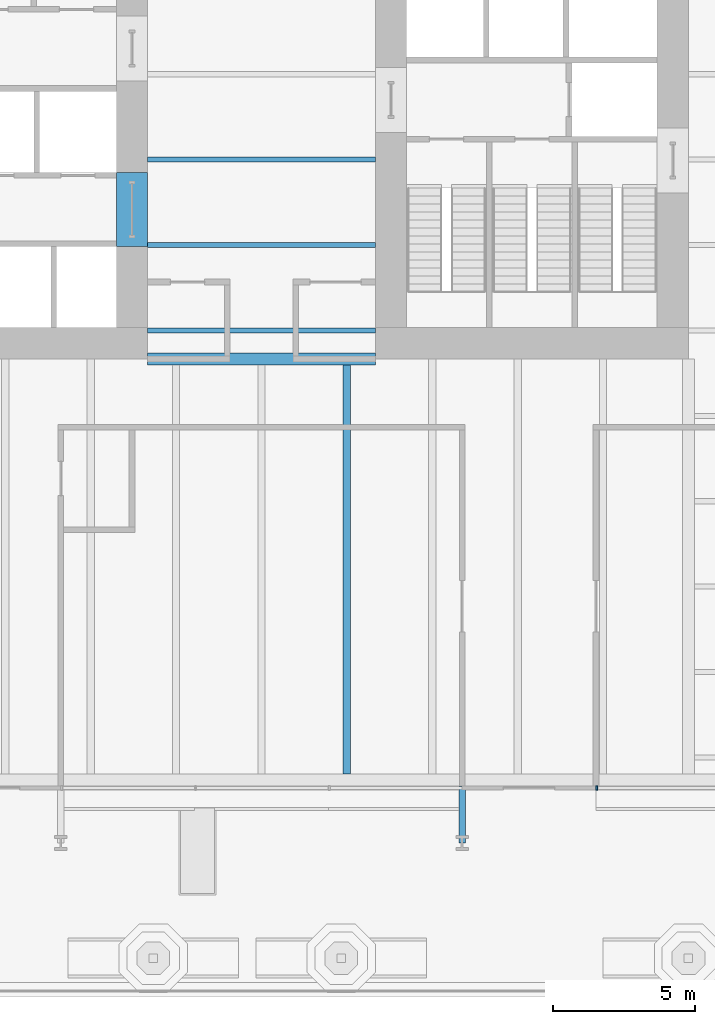
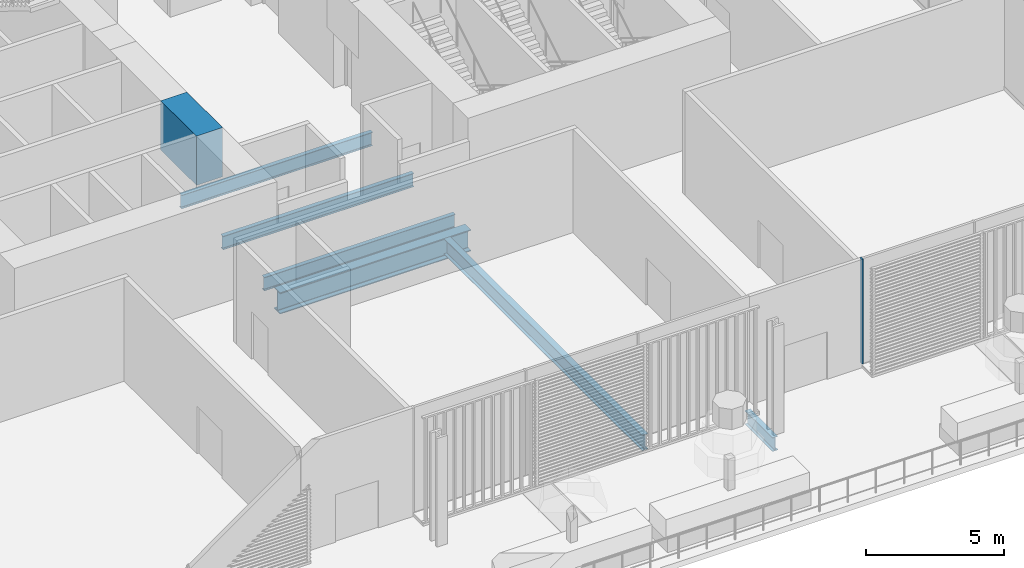
# One storey, part 4 of 21: 7 beams, 1 member, 1 element without a shape of its own.
"""IFC4 building model written with IfcOpenShell, lengths in metres."""

from ifc_helpers import new_model, si_unit, direction, frame, origin, origin_2d, place, context, subcontext, project, spatial, rectangle, i_section, extrude, material, layer, layer_set, material_profile, profile_set, type_object, element, aggregate, save


model = new_model("IFC4")

# Units and contexts
model_context = context("Model", 3, precision=1e-05, world=origin(), true_north=direction((0.0, 1.0)))
body_context = subcontext(model_context, "Body", "Model", "MODEL_VIEW")
ifc_project = project(units=[si_unit("LENGTHUNIT", "METRE"), si_unit("AREAUNIT", "SQUARE_METRE"), si_unit("VOLUMEUNIT", "CUBIC_METRE"), si_unit("PLANEANGLEUNIT", "RADIAN"), si_unit("MASSUNIT", "GRAM", prefix="KILO")], contexts=[model_context])

# Site, building, storey
site_placement = place(None, origin())
site = spatial("IfcSite", under=ifc_project, at=site_placement, CompositionType="ELEMENT")
building_placement = place(site_placement, origin())
building = spatial("IfcBuilding", under=site, at=building_placement, Name="Millrace Tower", CompositionType="ELEMENT")
storey_placement = place(building_placement, frame((0.0, 0.0, 16.10009765625)))
storey = spatial("IfcBuildingStorey", under=building, at=storey_placement, Name="L04", CompositionType="ELEMENT", Elevation=16.10009765625)

# Curtain wall, member
ifc_material_1 = material(Name="Aluminium and glass", Category="aluminium")
ifc_layer = layer(ifc_material_1, 0.14990234375)
ifc_layer_set = layer_set([ifc_layer], Name="Aluminium and glass")
curtain_wall_type = type_object("IfcCurtainWallType", Name="CW-2 data hall insulated curtain wall", PredefinedType="NOTDEFINED", material=ifc_layer_set)
curtain_wall_placement = place(storey_placement, origin())
curtain_wall = element("IfcCurtainWall", 1, at=curtain_wall_placement, inside=storey, type_object=curtain_wall_type, Name="Curtain wall A-F02 L04", PredefinedType="NOTDEFINED")
ifc_material_2 = material(Name="Aluminium", Category="aluminium")
ifc_material_profile_1 = material_profile(ifc_material_2, rectangle(XDim=0.06494140625, YDim=0.14990234375, at=origin_2d()))
ifc_profile_set_1 = profile_set([ifc_material_profile_1], Name="Aluminium")
member_type = type_object("IfcMemberType", Name="CW-2 data hall insulated curtain wall mullion", PredefinedType="MULLION", material=ifc_profile_set_1)
member_placement = place(storey_placement, frame((11.782470703125, -25.074951171875, 0.159912109375), z_axis=(0.0, 0.0, 1.0), x_axis=(1.0, 0.0, 0.0)))
member = element("IfcMember", 2, at=member_placement, type_object=member_type, Name="CW2 mullion A-F02.8", PredefinedType="MULLION", context=body_context, shape_type="SweptSolid", body=[
    extrude(rectangle(XDim=0.06494140625, YDim=0.14990234375, at=origin_2d()), origin(), (0.0, 0.0, 1.0), 4.639892578125),
])
aggregate(curtain_wall, [member])

# Beams
ifc_material_3 = material(Name="Concrete C80", Category="concrete")
ifc_material_profile_2 = material_profile(ifc_material_3, rectangle(XDim=1.10009765625, YDim=2.175048828125, at=origin_2d()))
ifc_profile_set_2 = profile_set([ifc_material_profile_2], Name="Concrete C80")
beam_type_1 = type_object("IfcBeamType", Name="Coupling beam 1100 x 2175 Concrete C80, 2000 opening", PredefinedType="BEAM", material=ifc_profile_set_2)
beam_1_placement = place(storey_placement, frame((-4.550048828125, -6.050048828125, 3.4873046875), z_axis=(0.0, 1.0, 0.0), x_axis=(-1.0, 0.0, 0.0)))
element("IfcBeam", 3, at=beam_1_placement, inside=storey, type_object=beam_type_1, Name="Coupling beam W L04", PredefinedType="BEAM", context=body_context, shape_type="SweptSolid", body=[
    extrude(rectangle(XDim=1.10009765625, YDim=2.175048828125, at=origin_2d()), origin(), (0.0, 0.0, 1.0), 2.60009765625),
])
ifc_material_4 = material(Name="Steel ASTM A992 Grade 50", Category="steel")
ifc_material_profile_3 = material_profile(ifc_material_4, i_section(OverallWidth=0.177978515625, OverallDepth=0.599365234375, WebThickness=0.010009765625, FlangeThickness=0.012939453125, FilletRadius=0.012939453125, at=origin_2d()))
ifc_profile_set_3 = profile_set([ifc_material_profile_3], Name="Steel ASTM A992 Grade 50")
beam_type_2 = type_object("IfcBeamType", Name="Floor beam W24x55", PredefinedType="JOIST", material=ifc_profile_set_3)
for number, where, z_axis, x_axis, name in (
    (4, (-4.0, -9.0, -0.52490234375), (1.0, 0.0, 0.0), (0.0, 1.0, 0.0), "BM-A-L04-S1-S011"),
    (5, (-4.0, -6.0, -0.52490234375), (1.0, 0.0, 0.0), (0.0, 1.0, 0.0), "BM-A-L04-S1-S014"),
    (6, (-4.0, -3.0, -0.52490234375), (1.0, 0.0, 0.0), (0.0, 1.0, 0.0), "BM-A-L04-S1-S017"),
):
    element("IfcBeam", number, at=place(storey_placement, frame(where, z_axis=z_axis, x_axis=x_axis)), inside=storey, type_object=beam_type_2, Name=name, PredefinedType="JOIST", context=body_context, shape_type="SweptSolid", body=[
        extrude(i_section(OverallWidth=0.177978515625, OverallDepth=0.599365234375, WebThickness=0.010009765625, FlangeThickness=0.012939453125, FilletRadius=0.012939453125, at=origin_2d()), origin(), (0.0, 0.0, 1.0), 8.0),
    ])
ifc_material_5 = material(Name="Steel ASTM A992 Grade 50", Category="steel")
ifc_material_profile_4 = material_profile(ifc_material_5, i_section(OverallWidth=0.256591796875, OverallDepth=0.693359375, WebThickness=0.014404296875, FlangeThickness=0.023681640625, FilletRadius=0.01513671875, at=origin_2d()))
ifc_profile_set_4 = profile_set([ifc_material_profile_4], Name="Steel ASTM A992 Grade 50")
beam_type_3 = type_object("IfcBeamType", Name="Floor beam W27x114", PredefinedType="JOIST", material=ifc_profile_set_4)
beam_2_placement = place(storey_placement, frame((3.0, -24.578369140625, -0.57177734375), z_axis=(0.0, 1.0, 0.0), x_axis=(-1.0, 0.0, 0.0)))
element("IfcBeam", 7, at=beam_2_placement, inside=storey, type_object=beam_type_3, Name="BM-A-L04-S1-S053", PredefinedType="JOIST", context=body_context, shape_type="SweptSolid", body=[
    extrude(i_section(OverallWidth=0.256591796875, OverallDepth=0.693359375, WebThickness=0.014404296875, FlangeThickness=0.023681640625, FilletRadius=0.01513671875, at=origin_2d()), origin(), (0.0, 0.0, 1.0), 14.3662109375),
])
ifc_material_6 = material(Name="Steel ASTM A992 Grade 50", Category="steel")
ifc_material_profile_5 = material_profile(ifc_material_6, i_section(OverallWidth=0.424072265625, OverallDepth=0.947509765625, WebThickness=0.02392578125, FlangeThickness=0.042724609375, FilletRadius=0.024169921875, at=origin_2d()))
ifc_profile_set_5 = profile_set([ifc_material_profile_5], Name="Steel ASTM A992 Grade 50")
beam_type_4 = type_object("IfcBeamType", Name="Girder short span W36x302", PredefinedType="BEAM", material=ifc_profile_set_5)
beam_3_placement = place(storey_placement, frame((-4.0, -10.0, -0.69873046875), z_axis=(1.0, 0.0, 0.0), x_axis=(0.0, 1.0, 0.0)))
element("IfcBeam", 8, at=beam_3_placement, inside=storey, type_object=beam_type_4, Name="BM-A-L04-S1-G065", PredefinedType="BEAM", context=body_context, shape_type="SweptSolid", body=[
    extrude(i_section(OverallWidth=0.424072265625, OverallDepth=0.947509765625, WebThickness=0.02392578125, FlangeThickness=0.042724609375, FilletRadius=0.024169921875, at=origin_2d()), origin(), (0.0, 0.0, 1.0), 8.0),
])
ifc_material_7 = material(Name="Steel ASTM A992 Grade 50", Category="steel")
ifc_material_profile_6 = material_profile(ifc_material_7, i_section(OverallWidth=0.23046875, OverallDepth=0.6171875, WebThickness=0.01318359375, FlangeThickness=0.022216796875, FilletRadius=0.012939453125, at=origin_2d()))
ifc_profile_set_6 = profile_set([ifc_material_profile_6], Name="Steel ASTM A992 Grade 50")
beam_type_5 = type_object("IfcBeamType", Name="Link beam W24x94", PredefinedType="BEAM", material=ifc_profile_set_6)
beam_4_placement = place(storey_placement, frame((7.050048828125, -25.0, -0.5986328125), z_axis=(0.0, -1.0, 0.0), x_axis=(1.0, 0.0, 0.0)))
element("IfcBeam", 9, at=beam_4_placement, inside=storey, type_object=beam_type_5, Name="LNK-A-L04-S1-14", PredefinedType="BEAM", context=body_context, shape_type="SweptSolid", body=[
    extrude(i_section(OverallWidth=0.23046875, OverallDepth=0.6171875, WebThickness=0.01318359375, FlangeThickness=0.022216796875, FilletRadius=0.012939453125, at=origin_2d()), origin(), (0.0, 0.0, 1.0), 2.0),
])

save(model, "model.ifc")
